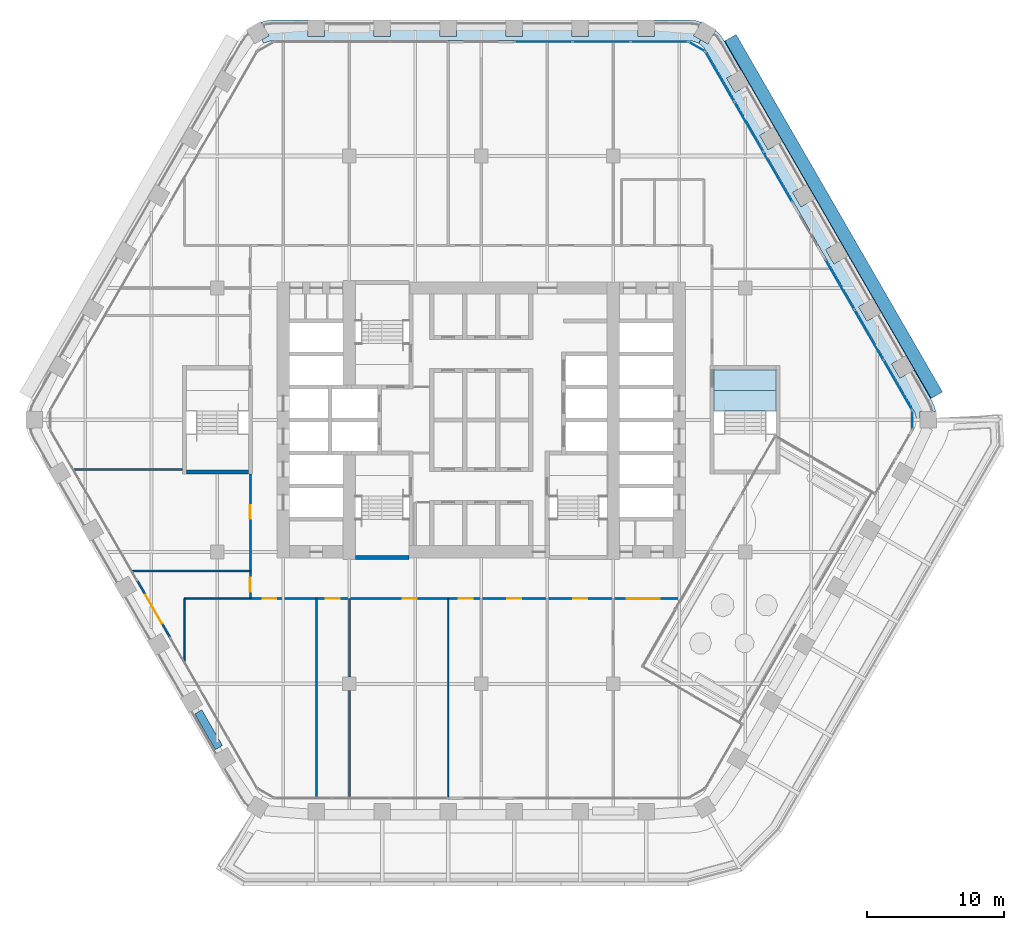
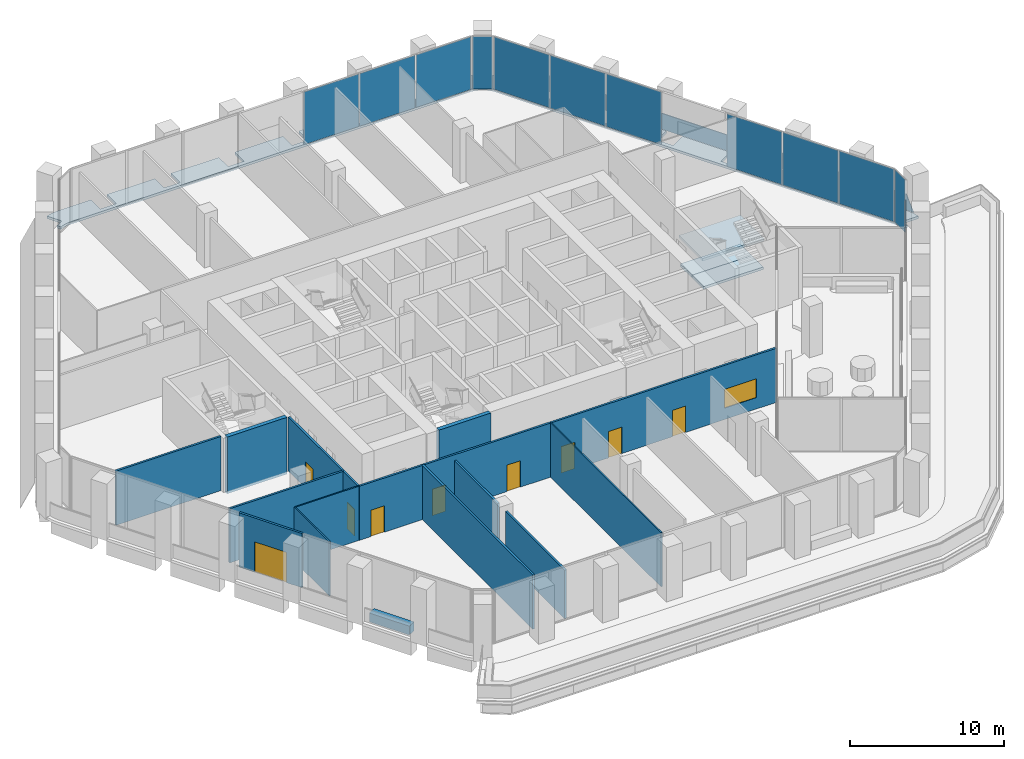
# One storey, part 13 of 25: 14 walls, 12 plates, 9 doors, 5 slabs, 1 window, 10 openings, 6 elements without a shape of their own.
"""IFC4 building model written with IfcOpenShell, lengths in metres."""

from ifc_helpers import new_model, si_unit, direction, frame, frame_2d, origin, origin_2d, place, context, subcontext, project, spatial, polyline, rectangle, outline, extrude, material, layer, layer_set, type_object, element, fill, aggregate, save


model = new_model("IFC4")

# Units and contexts
model_context = context("Model", 3, precision=1e-05, world=origin(), true_north=direction((0.0, 1.0)))
body_context = subcontext(model_context, "Body", "Model", "MODEL_VIEW")
ifc_project = project(units=[si_unit("LENGTHUNIT", "METRE"), si_unit("AREAUNIT", "SQUARE_METRE"), si_unit("VOLUMEUNIT", "CUBIC_METRE"), si_unit("PLANEANGLEUNIT", "RADIAN"), si_unit("MASSUNIT", "GRAM", prefix="KILO")], contexts=[model_context])

# Site, building, storey
site_placement = place(None, origin())
site = spatial("IfcSite", under=ifc_project, at=site_placement, CompositionType="ELEMENT")
building_placement = place(site_placement, origin())
building = spatial("IfcBuilding", under=site, at=building_placement, Name="Kolab Exchange Tower", CompositionType="ELEMENT")
storey_placement = place(building_placement, frame((0.0, 0.0, 91.39990234375)))
storey = spatial("IfcBuildingStorey", under=building, at=storey_placement, Name="L17", CompositionType="ELEMENT", Elevation=91.39990234375)

# Slabs
ifc_material_1 = material(Name="Concrete C35/45", Category="concrete")
ifc_layer_1 = layer(ifc_material_1, 0.199951171875)
ifc_layer_set_1 = layer_set([ifc_layer_1], Name="Concrete C35/45")
slab_type_1 = type_object("IfcSlabType", Name="FLOOR SLAB 200", PredefinedType="FLOOR", material=ifc_layer_set_1)
slab_1_placement = place(storey_placement, frame((0.0, 0.0, -0.199951171875)))
element("IfcSlab", 1, at=slab_1_placement, inside=storey, type_object=slab_type_1, Name="slab/L17/floor/13", PredefinedType="FLOOR", context=body_context, shape_type="SweptSolid", body=[
    extrude(outline(polyline([(21.449951171875, 3.64990234375), (16.949951171875, 3.64990234375), (16.949951171875, 2.14990234375), (21.449951171875, 2.14990234375), (21.449951171875, 3.64990234375)])), origin(), (0.0, 0.0, 1.0), 0.199951171875),
])
ifc_layer_2 = layer(ifc_material_1, 0.199951171875)
ifc_layer_set_2 = layer_set([ifc_layer_2], Name="Concrete C35/45")
slab_type_2 = type_object("IfcSlabType", Name="LOGGIA SLAB 200", PredefinedType="FLOOR", material=ifc_layer_set_2)
slab_2_placement = place(storey_placement, frame((0.0, 0.0, -0.199951171875)))
element("IfcSlab", 2, at=slab_2_placement, inside=storey, type_object=slab_type_2, Name="slab/L17/loggia/0-0", PredefinedType="FLOOR", context=body_context, shape_type="SweptSolid", body=[
    extrude(outline(polyline([(15.5810546875, 27.508056640625), (15.81787109375, 27.3974609375), (15.968017578125, 27.6572265625), (15.4482421875, 27.957275390625), (16.014892578125, 28.938720703125), (15.5888671875, 29.052978515625), (15.06787109375, 29.098388671875), (12.60009765625, 29.098388671875), (12.60009765625, 27.8984375), (11.39990234375, 27.8984375), (11.39990234375, 29.098388671875), (7.800048828125, 29.098388671875), (7.800048828125, 27.8984375), (6.60009765625, 27.8984375), (6.60009765625, 29.098388671875), (3.0, 29.098388671875), (3.0, 27.8984375), (1.800048828125, 27.8984375), (1.800048828125, 29.098388671875), (-1.800048828125, 29.098388671875), (-1.800048828125, 27.8984375), (-3.0, 27.8984375), (-3.0, 29.098388671875), (-6.60009765625, 29.098388671875), (-6.60009765625, 27.8984375), (-7.800048828125, 27.8984375), (-7.800048828125, 29.098388671875), (-11.39990234375, 29.098388671875), (-11.39990234375, 27.8984375), (-12.60009765625, 27.8984375), (-12.60009765625, 29.098388671875), (-15.06787109375, 29.098388671875), (-15.5888671875, 29.052978515625), (-16.014892578125, 28.938720703125), (-15.4482421875, 27.957275390625), (-15.968017578125, 27.6572265625), (-15.81787109375, 27.3974609375), (-15.5810546875, 27.508056640625), (-15.328369140625, 27.57568359375), (-15.06787109375, 27.598388671875), (15.06787109375, 27.598388671875), (15.328369140625, 27.57568359375), (15.5810546875, 27.508056640625)])), origin(), (0.0, 0.0, 1.0), 0.199951171875),
])
slab_3_placement = place(storey_placement, frame((0.0, 0.0, -0.199951171875)))
element("IfcSlab", 3, at=slab_3_placement, inside=storey, type_object=slab_type_2, Name="slab/L17/loggia/1-0", PredefinedType="FLOOR", context=body_context, shape_type="SweptSolid", body=[
    extrude(outline(polyline([(31.613037109375, 0.260498046875), (31.62939453125, 0.07568359375), (31.935791015625, 0.091064453125), (31.935791015625, 0.60009765625), (33.069091796875, 0.60009765625), (32.955078125, 1.026123046875), (32.73388671875, 1.5), (31.5, 3.63720703125), (30.460693359375, 3.037353515625), (29.86083984375, 4.076416015625), (30.89990234375, 4.676513671875), (29.10009765625, 7.794189453125), (28.060791015625, 7.1943359375), (27.460693359375, 8.2333984375), (28.5, 8.83349609375), (26.699951171875, 11.951171875), (25.660888671875, 11.35107421875), (25.060791015625, 12.390380859375), (26.10009765625, 12.990478515625), (24.300048828125, 16.108154296875), (23.2607421875, 15.508056640625), (22.660888671875, 16.54736328125), (23.699951171875, 17.147216796875), (21.89990234375, 20.264892578125), (20.86083984375, 19.6650390625), (20.2607421875, 20.704345703125), (21.300048828125, 21.30419921875), (19.5, 24.421875), (18.460693359375, 23.822021484375), (17.86083984375, 24.861083984375), (18.89990234375, 25.461181640625), (17.666015625, 27.598388671875), (17.365966796875, 28.02685546875), (17.05419921875, 28.338623046875), (16.487548828125, 27.357177734375), (15.968017578125, 27.6572265625), (15.81787109375, 27.3974609375), (16.0322265625, 27.24755859375), (16.217041015625, 27.062744140625), (16.366943359375, 26.848388671875), (31.434814453125, 0.75), (31.54541015625, 0.512939453125), (31.613037109375, 0.260498046875)])), origin(), (0.0, 0.0, 1.0), 0.199951171875),
])

# Plate
ifc_material_2 = material(Name="Laminated glass, clear", Category="glass")
ifc_layer_3 = layer(ifc_material_2, 0.0400390625)
ifc_layer_set_3 = layer_set([ifc_layer_3], Name="Laminated glass, clear")
plate_type_1 = type_object("IfcPlateType", Name="OUTER SKIN LAMINATED GLASS SHEET 40", PredefinedType="SHEET", material=ifc_layer_set_3)
plate_1_placement = place(storey_placement, frame((18.540283203125, 28.04541015625, -0.73291015625), z_axis=(0.78488749746, 0.453155039209, 0.422613448403), x_axis=(0.499999167166, -0.866025884618, 2.126414e-06)))
element("IfcPlate", 4, at=plate_1_placement, inside=storey, type_object=plate_type_1, Name="Outer skin", PredefinedType="SHEET", context=body_context, shape_type="SweptSolid", body=[
    extrude(outline(polyline([(0.0, 0.0), (30.035931798469555, 0.0), (30.035821559359643, -2.2341565300489714), (-2.087711834573829e-05, -2.2342974723957343), (0.0, 0.0)])), origin(), (0.0, 0.0, -1.0), 0.0400390625),
])

# Stair, slabs
ifc_material_3 = material(Name="Concrete C50/60", Category="concrete")
stair_type = type_object("IfcStairType", Name="STAIR ST4 RISER 160.7", PredefinedType="DOUBLE_RETURN_STAIR", material=ifc_material_3)
stair_placement = place(storey_placement, origin())
stair = element("IfcStair", 5, at=stair_placement, inside=storey, type_object=stair_type, Name="Stair 4", PredefinedType="DOUBLE_RETURN_STAIR")
ifc_layer_4 = layer(ifc_material_3, 0.199951171875)
ifc_layer_set_4 = layer_set([ifc_layer_4], Name="Concrete C50/60")
slab_type_3 = type_object("IfcSlabType", Name="STAIR LANDING 200", PredefinedType="LANDING", material=ifc_layer_set_4)
slab_4_placement = place(storey_placement, frame((0.0, 0.0, -0.199951171875)))
slab_4 = element("IfcSlab", 6, at=slab_4_placement, type_object=slab_type_3, Name="ST4 landing 1", PredefinedType="LANDING", context=body_context, shape_type="SweptSolid", body=[
    extrude(outline(polyline([(16.949951171875, 0.64990234375), (21.449951171875, 0.64990234375), (21.449951171875, 2.14990234375), (16.949951171875, 2.14990234375), (16.949951171875, 0.64990234375)])), origin(), (0.0, 0.0, 1.0), 0.199951171875),
])
slab_5_placement = place(storey_placement, frame((0.0, 0.0, 2.050048828125)))
slab_5 = element("IfcSlab", 7, at=slab_5_placement, type_object=slab_type_3, Name="ST4 landing 3", PredefinedType="LANDING", context=body_context, shape_type="SweptSolid", body=[
    extrude(outline(polyline([(16.889892578125, 0.64990234375), (21.510009765625, 0.64990234375), (21.510009765625, 3.7099609375), (16.889892578125, 3.7099609375), (16.889892578125, 0.64990234375)])), origin(), (0.0, 0.0, 1.0), 0.199951171875),
])
aggregate(stair, [slab_4, slab_5])

# Curtain wall, plates
ifc_material_4 = material(Name="Aluminium EN AW-6063 T6", Category="aluminium")
curtain_wall_type = type_object("IfcCurtainWallType", Name="UNITISED LOWER MID ZONE CURTAIN WALL", PredefinedType="NOTDEFINED", material=ifc_material_4)
curtain_wall_1_placement = place(storey_placement, origin())
curtain_wall_1 = element("IfcCurtainWall", 8, at=curtain_wall_1_placement, inside=storey, type_object=curtain_wall_type, Name="cw/L17/F1-2", PredefinedType="NOTDEFINED")
ifc_material_5 = material(Name="Clear insulated glazing unit", Category="glass")
ifc_layer_5 = layer(ifc_material_5, 0.02587890625)
ifc_layer_set_5 = layer_set([ifc_layer_5], Name="Clear insulated glazing unit")
plate_type_2 = type_object("IfcPlateType", Name="UNITISED LOWER MID ZONE GLASS PANEL 26", PredefinedType="CURTAIN_PANEL", material=ifc_layer_set_5)
plate_2_placement = place(storey_placement, frame((4.5263671875, 27.5185546875, 0.06005859375), z_axis=(0.0, 0.0, 1.0), x_axis=(1.0, 0.0, 0.0)))
plate_2 = element("IfcPlate", 9, at=plate_2_placement, type_object=plate_type_2, Name="CW2 panel 1.1", PredefinedType="CURTAIN_PANEL", context=body_context, shape_type="SweptSolid", body=[
    extrude(rectangle(XDim=4.132568359375, YDim=0.02587890625, at=origin_2d()), origin(), (0.0, 0.0, 1.0), 4.179931640625),
])
plate_3_placement = place(storey_placement, frame((8.73388671875, 27.5185546875, 0.06005859375), z_axis=(0.0, 0.0, 1.0), x_axis=(1.0, 0.0, 0.0)))
plate_3 = element("IfcPlate", 10, at=plate_3_placement, type_object=plate_type_2, Name="CW2 panel 2.1", PredefinedType="CURTAIN_PANEL", context=body_context, shape_type="SweptSolid", body=[
    extrude(rectangle(XDim=4.16259765625, YDim=0.02587890625, at=origin_2d()), origin(), (0.0, 0.0, 1.0), 4.179931640625),
])
plate_4_placement = place(storey_placement, frame((12.941650390625, 27.5185546875, 0.06005859375), z_axis=(0.0, 0.0, 1.0), x_axis=(1.0, 0.0, 0.0)))
plate_4 = element("IfcPlate", 11, at=plate_4_placement, type_object=plate_type_2, Name="CW2 panel 3.1", PredefinedType="CURTAIN_PANEL", context=body_context, shape_type="SweptSolid", body=[
    extrude(rectangle(XDim=4.132568359375, YDim=0.02587890625, at=origin_2d()), origin(), (0.0, 0.0, 1.0), 4.179931640625),
])
aggregate(curtain_wall_1, [plate_2, plate_3, plate_4])

curtain_wall_2_placement = place(storey_placement, origin())
curtain_wall_2 = element("IfcCurtainWall", 12, at=curtain_wall_2_placement, inside=storey, type_object=curtain_wall_type, Name="cw/L17/F2-1", PredefinedType="NOTDEFINED")
plate_5_placement = place(storey_placement, frame((17.36083984375, 24.967041015625, 0.06005859375), z_axis=(0.0, 0.0, 1.0), x_axis=(0.500000017564, -0.866025393644, 0.0)))
plate_5 = element("IfcPlate", 13, at=plate_5_placement, type_object=plate_type_2, Name="CW2 panel 1.1", PredefinedType="CURTAIN_PANEL", context=body_context, shape_type="SweptSolid", body=[
    extrude(rectangle(XDim=4.132568359375, YDim=0.02587890625, at=origin_2d()), origin(), (0.0, 0.0, 1.0), 4.179931640625),
])
plate_6_placement = place(storey_placement, frame((19.464599609375, 21.322998046875, 0.06005859375), z_axis=(0.0, 0.0, 1.0), x_axis=(0.500000017564, -0.866025393644, 0.0)))
plate_6 = element("IfcPlate", 14, at=plate_6_placement, type_object=plate_type_2, Name="CW2 panel 2.1", PredefinedType="CURTAIN_PANEL", context=body_context, shape_type="SweptSolid", body=[
    extrude(rectangle(XDim=4.16259765625, YDim=0.02587890625, at=origin_2d()), origin(), (0.0, 0.0, 1.0), 4.179931640625),
])
plate_7_placement = place(storey_placement, frame((21.568603515625, 17.67919921875, 0.06005859375), z_axis=(0.0, 0.0, 1.0), x_axis=(0.500000017564, -0.866025393644, 0.0)))
plate_7 = element("IfcPlate", 15, at=plate_7_placement, type_object=plate_type_2, Name="CW2 panel 3.1", PredefinedType="CURTAIN_PANEL", context=body_context, shape_type="SweptSolid", body=[
    extrude(rectangle(XDim=4.132568359375, YDim=0.02587890625, at=origin_2d()), origin(), (0.0, 0.0, 1.0), 4.179931640625),
])
aggregate(curtain_wall_2, [plate_5, plate_6, plate_7])

curtain_wall_3_placement = place(storey_placement, origin())
curtain_wall_3 = element("IfcCurtainWall", 16, at=curtain_wall_3_placement, inside=storey, type_object=curtain_wall_type, Name="cw/L17/F2-2", PredefinedType="NOTDEFINED")
plate_8_placement = place(storey_placement, frame((26.0947265625, 9.83935546875, 0.06005859375), z_axis=(0.0, 0.0, 1.0), x_axis=(0.499999958358, -0.866025427826, 0.0)))
plate_8 = element("IfcPlate", 17, at=plate_8_placement, type_object=plate_type_2, Name="CW2 panel 1.1", PredefinedType="CURTAIN_PANEL", context=body_context, shape_type="SweptSolid", body=[
    extrude(rectangle(XDim=4.132568359375, YDim=0.02587890625, at=origin_2d()), origin(), (0.0, 0.0, 1.0), 4.179931640625),
])
plate_9_placement = place(storey_placement, frame((28.19873046875, 6.1953125, 0.06005859375), z_axis=(0.0, 0.0, 1.0), x_axis=(0.499999958358, -0.866025427826, 0.0)))
plate_9 = element("IfcPlate", 18, at=plate_9_placement, type_object=plate_type_2, Name="CW2 panel 2.1", PredefinedType="CURTAIN_PANEL", context=body_context, shape_type="SweptSolid", body=[
    extrude(rectangle(XDim=4.16259765625, YDim=0.02587890625, at=origin_2d()), origin(), (0.0, 0.0, 1.0), 4.179931640625),
])
plate_10_placement = place(storey_placement, frame((30.302490234375, 2.551513671875, 0.06005859375), z_axis=(0.0, 0.0, 1.0), x_axis=(0.499999958358, -0.866025427826, 0.0)))
plate_10 = element("IfcPlate", 19, at=plate_10_placement, type_object=plate_type_2, Name="CW2 panel 3.1", PredefinedType="CURTAIN_PANEL", context=body_context, shape_type="SweptSolid", body=[
    extrude(rectangle(XDim=4.132568359375, YDim=0.02587890625, at=origin_2d()), origin(), (0.0, 0.0, 1.0), 4.179931640625),
])
aggregate(curtain_wall_3, [plate_8, plate_9, plate_10])

# Curtain wall, plate
curtain_wall_4_placement = place(storey_placement, origin())
curtain_wall_4 = element("IfcCurtainWall", 20, at=curtain_wall_4_placement, inside=storey, type_object=curtain_wall_type, Name="cw/L17/F1F2-corner", PredefinedType="NOTDEFINED")
plate_11_placement = place(storey_placement, frame((15.682861328125, 27.16357421875, 0.06005859375), z_axis=(0.0, 0.0, 1.0), x_axis=(0.866025390869, -0.50000002237, 0.0)))
plate_11 = element("IfcPlate", 21, at=plate_11_placement, type_object=plate_type_2, Name="CW2 panel 1.1", PredefinedType="CURTAIN_PANEL", context=body_context, shape_type="SweptSolid", body=[
    extrude(rectangle(XDim=1.300048828125, YDim=0.02587890625, at=origin_2d()), origin(), (0.0, 0.0, 1.0), 4.179931640625),
])
aggregate(curtain_wall_4, [plate_11])

curtain_wall_5_placement = place(storey_placement, origin())
curtain_wall_5 = element("IfcCurtainWall", 22, at=curtain_wall_5_placement, inside=storey, type_object=curtain_wall_type, Name="cw/L17/F2F3-corner", PredefinedType="NOTDEFINED")
plate_12_placement = place(storey_placement, frame((31.36572265625, 0.0, 0.06005859375), z_axis=(0.0, 0.0, 1.0), x_axis=(0.0, -1.0, 0.0)))
plate_12 = element("IfcPlate", 23, at=plate_12_placement, type_object=plate_type_2, Name="CW2 panel 1.1", PredefinedType="CURTAIN_PANEL", context=body_context, shape_type="SweptSolid", body=[
    extrude(rectangle(XDim=1.300048828125, YDim=0.02587890625, at=origin_2d()), origin(), (0.0, 0.0, 1.0), 4.179931640625),
])
aggregate(curtain_wall_5, [plate_12])

# Wall, opening, door
ifc_layer_6 = layer(ifc_material_4, 0.159912109375)
ifc_layer_set_6 = layer_set([ifc_layer_6], Name="Aluminium EN AW-6063 T6")
wall_type_1 = type_object("IfcWallType", Name="DOOR SURROUND WALL 160 ALUMINIUM FRAMED", PredefinedType="PARTITIONING", material=ifc_layer_set_6)
wall_1_placement = place(storey_placement, frame((-22.646728515625, -15.811767578125, 0.0), z_axis=(0.0, 0.0, 1.0), x_axis=(-0.499978080042, 0.866038058908, 0.0)))
wall_1 = element("IfcWall", 24, at=wall_1_placement, inside=storey, type_object=wall_type_1, Name="Door surround wall", PredefinedType="PARTITIONING", context=body_context, shape_type="SweptSolid", body=[
    extrude(rectangle(XDim=4.739990234375, YDim=0.159912109375, at=frame_2d((2.3701171875, 0.0))), origin(), (0.0, 0.0, 1.0), 4.300048828125),
])
opening_1_placement = place(wall_1_placement, frame((1.169921875, 0.0, 0.0)))
opening_1 = element("IfcOpeningElement", 25, at=opening_1_placement, cuts=wall_1, Name="Opening GD1-038", PredefinedType="OPENING", context=body_context, shape_type="SweptSolid", body=[
    extrude(rectangle(XDim=2.39990234375, YDim=2.39990234375, at=frame_2d((1.199951171875, 1.199951171875))), frame((0.0, 0.08984375, 0.0), z_axis=(0.0, -1.0, 0.0), x_axis=(1.0, 0.0, 0.0)), (0.0, 0.0, 1.0), 0.179931640625),
])
door_type_1 = type_object("IfcDoorType", Name="LOGGIA SLIDING GLASS DOOR 2400 X 2400", OperationType="DOUBLE_DOOR_SINGLE_SWING", PredefinedType="DOOR", material=ifc_material_4)
door_1_placement = place(opening_1_placement, origin())
door_1 = element("IfcDoor", 26, at=door_1_placement, inside=storey, type_object=door_type_1, Name="Loggia door", OperationType="DOUBLE_DOOR_SLIDING", OverallHeight=2.39990234375, OverallWidth=2.39990234375, PredefinedType="DOOR", context=body_context, shape_type="SweptSolid", body=[
    extrude(rectangle(XDim=2.39990234375, YDim=2.39990234375, at=frame_2d((1.199951171875, 1.199951171875))), frame((0.0, 0.02490234375, 0.0), z_axis=(0.0, -1.0, 0.0), x_axis=(1.0, 0.0, 0.0)), (0.0, 0.0, 1.0), 0.050048828125),
])
fill(opening_1, door_1)

# Walls
ifc_material_6 = material(Name="Gypsum board", Category="gypsum")
ifc_layer_7 = layer(ifc_material_6, 0.10009765625)
ifc_layer_set_7 = layer_set([ifc_layer_7], Name="Gypsum board")
wall_type_2 = type_object("IfcWallType", Name="PARTITION 100", PredefinedType="PARTITIONING", material=ifc_layer_set_7)
wall_2_placement = place(storey_placement, frame((-2.39990234375, -27.4384765625, 0.0), z_axis=(0.0, 0.0, 1.0), x_axis=(0.0, 1.0, 0.0)))
element("IfcWall", 27, at=wall_2_placement, inside=storey, type_object=wall_type_2, Name="Partition 016", PredefinedType="PARTITIONING", context=body_context, shape_type="SweptSolid", body=[
    extrude(rectangle(XDim=14.4384765625, YDim=0.10009765625, at=frame_2d((7.21923828125, 0.0))), origin(), (0.0, 0.0, 1.0), 4.300048828125),
])
wall_3_placement = place(storey_placement, frame((-21.60009765625, -17.544677734375, 0.0), z_axis=(0.0, 0.0, 1.0), x_axis=(0.0, 1.0, 0.0)))
element("IfcWall", 28, at=wall_3_placement, inside=storey, type_object=wall_type_2, Name="Partition 029", PredefinedType="PARTITIONING", context=body_context, shape_type="SweptSolid", body=[
    extrude(rectangle(XDim=4.544677734375, YDim=0.10009765625, at=frame_2d((2.2724609375, 0.0))), origin(), (0.0, 0.0, 1.0), 4.300048828125),
])
wall_4_placement = place(storey_placement, frame((-21.60009765625, -13.0, 0.0), z_axis=(0.0, 0.0, 1.0), x_axis=(1.0, 0.0, 0.0)))
element("IfcWall", 29, at=wall_4_placement, inside=storey, type_object=wall_type_2, Name="Partition 031", PredefinedType="PARTITIONING", context=body_context, shape_type="SweptSolid", body=[
    extrude(rectangle(XDim=4.800048828125, YDim=0.10009765625, at=frame_2d((2.39990234375, 0.0))), origin(), (0.0, 0.0, 1.0), 4.300048828125),
])
ifc_layer_8 = layer(ifc_material_6, 0.14990234375)
ifc_layer_set_8 = layer_set([ifc_layer_8], Name="Gypsum board")
wall_type_3 = type_object("IfcWallType", Name="PARTITION 150 FIRE-RATED", PredefinedType="PARTITIONING", material=ifc_layer_set_8)
wall_5_placement = place(storey_placement, frame((-9.60009765625, -27.428466796875, 0.0), z_axis=(0.0, 0.0, 1.0), x_axis=(0.0, 1.0, 0.0)))
element("IfcWall", 30, at=wall_5_placement, inside=storey, type_object=wall_type_3, Name="Partition 019", PredefinedType="PARTITIONING", context=body_context, shape_type="SweptSolid", body=[
    extrude(rectangle(XDim=7.728515625, YDim=0.14990234375, at=frame_2d((3.8642578125, 0.0))), origin(), (0.0, 0.0, 1.0), 3.843017578125),
])
wall_6_placement = place(storey_placement, frame((-9.60009765625, -18.699951171875, 0.0), z_axis=(0.0, 0.0, 1.0), x_axis=(0.0, 1.0, 0.0)))
element("IfcWall", 31, at=wall_6_placement, inside=storey, type_object=wall_type_3, Name="Partition 020", PredefinedType="PARTITIONING", context=body_context, shape_type="SweptSolid", body=[
    extrude(rectangle(XDim=5.699951171875, YDim=0.14990234375, at=frame_2d((2.85009765625, 0.0))), origin(), (0.0, 0.0, 1.0), 3.843017578125),
])
wall_7_placement = place(storey_placement, frame((-12.0, -27.428466796875, 0.0), z_axis=(0.0, 0.0, 1.0), x_axis=(0.0, 1.0, 0.0)))
element("IfcWall", 32, at=wall_7_placement, inside=storey, type_object=wall_type_3, Name="Partition 024", PredefinedType="PARTITIONING", context=body_context, shape_type="SweptSolid", body=[
    extrude(rectangle(XDim=14.428466796875, YDim=0.14990234375, at=frame_2d((7.21435546875, 0.0))), origin(), (0.0, 0.0, 1.0), 4.300048828125),
])

# Wall, openings, doors
wall_8_placement = place(storey_placement, frame((-16.800048828125, -13.0, 0.0), z_axis=(0.0, 0.0, 1.0), x_axis=(0.0, 1.0, 0.0)))
wall_8 = element("IfcWall", 33, at=wall_8_placement, inside=storey, type_object=wall_type_3, Name="Partition 027", PredefinedType="PARTITIONING", context=body_context, shape_type="SweptSolid", body=[
    extrude(rectangle(XDim=9.050048828125, YDim=0.14990234375, at=frame_2d((4.52490234375, 0.0))), origin(), (0.0, 0.0, 1.0), 4.300048828125),
])
opening_2_placement = place(wall_8_placement, frame((0.514892578125, 0.0, 0.0)))
opening_2 = element("IfcOpeningElement", 34, at=opening_2_placement, cuts=wall_8, Name="Opening D1-252", PredefinedType="OPENING", context=body_context, shape_type="SweptSolid", body=[
    extrude(rectangle(XDim=1.0, YDim=2.10009765625, at=frame_2d((0.5, 1.050048828125))), frame((0.0, 0.0849609375, 0.0), z_axis=(0.0, -1.0, 0.0), x_axis=(1.0, 0.0, 0.0)), (0.0, 0.0, 1.0), 0.169921875),
])
opening_3_placement = place(wall_8_placement, frame((5.800048828125, 0.0, 0.0)))
opening_3 = element("IfcOpeningElement", 35, at=opening_3_placement, cuts=wall_8, Name="Opening D1-217", PredefinedType="OPENING", context=body_context, shape_type="SweptSolid", body=[
    extrude(rectangle(XDim=1.0, YDim=2.10009765625, at=frame_2d((0.5, 1.050048828125))), frame((0.0, 0.0849609375, 0.0), z_axis=(0.0, -1.0, 0.0), x_axis=(1.0, 0.0, 0.0)), (0.0, 0.0, 1.0), 0.169921875),
])
ifc_material_7 = material(Name="Steel S235", Category="steel")
door_type_2 = type_object("IfcDoorType", Name="FLUSH DOOR 1000 FD60", OperationType="SINGLE_SWING_LEFT", PredefinedType="DOOR", material=ifc_material_7)
door_2_placement = place(opening_2_placement, origin())
door_2 = element("IfcDoor", 36, at=door_2_placement, inside=storey, type_object=door_type_2, Name="Door L17-063", OperationType="SINGLE_SWING_RIGHT", OverallHeight=2.10009765625, OverallWidth=1.0, PredefinedType="DOOR", context=body_context, shape_type="SweptSolid", body=[
    extrude(rectangle(XDim=1.0, YDim=2.10009765625, at=frame_2d((0.5, 1.050048828125))), frame((0.0, 0.02490234375, 0.0), z_axis=(0.0, -1.0, 0.0), x_axis=(1.0, 0.0, 0.0)), (0.0, 0.0, 1.0), 0.050048828125),
])
fill(opening_2, door_2)
door_3_placement = place(opening_3_placement, origin())
door_3 = element("IfcDoor", 37, at=door_3_placement, inside=storey, type_object=door_type_2, Name="Door L17-064", OperationType="SINGLE_SWING_RIGHT", OverallHeight=2.10009765625, OverallWidth=1.0, PredefinedType="DOOR", context=body_context, shape_type="SweptSolid", body=[
    extrude(rectangle(XDim=1.0, YDim=2.10009765625, at=frame_2d((0.5, 1.050048828125))), frame((0.0, 0.02490234375, 0.0), z_axis=(0.0, -1.0, 0.0), x_axis=(1.0, 0.0, 0.0)), (0.0, 0.0, 1.0), 0.050048828125),
])
fill(opening_3, door_3)

# Wall, openings, doors, window
wall_9_placement = place(storey_placement, frame((-16.800048828125, -13.0, 0.0), z_axis=(0.0, 0.0, 1.0), x_axis=(1.0, 0.0, 0.0)))
wall_9 = element("IfcWall", 38, at=wall_9_placement, inside=storey, type_object=wall_type_3, Name="Partition 032", PredefinedType="PARTITIONING", context=body_context, shape_type="SweptSolid", body=[
    extrude(rectangle(XDim=31.324462890625, YDim=0.14990234375, at=frame_2d((15.662109375, 0.0))), origin(), (0.0, 0.0, 1.0), 4.300048828125),
])
opening_4_placement = place(wall_9_placement, frame((0.885009765625, 0.0, 0.0)))
opening_4 = element("IfcOpeningElement", 39, at=opening_4_placement, cuts=wall_9, Name="Opening D1-244", PredefinedType="OPENING", context=body_context, shape_type="SweptSolid", body=[
    extrude(rectangle(XDim=1.0, YDim=2.10009765625, at=frame_2d((0.5, 1.050048828125))), frame((0.0, 0.0849609375, 0.0), z_axis=(0.0, -1.0, 0.0), x_axis=(1.0, 0.0, 0.0)), (0.0, 0.0, 1.0), 0.169921875),
])
opening_5_placement = place(wall_9_placement, frame((5.5, 0.0, 0.0)))
opening_5 = element("IfcOpeningElement", 40, at=opening_5_placement, cuts=wall_9, Name="Opening D1-245", PredefinedType="OPENING", context=body_context, shape_type="SweptSolid", body=[
    extrude(rectangle(XDim=1.0, YDim=2.10009765625, at=frame_2d((0.5, 1.050048828125))), frame((0.0, 0.0849609375, 0.0), z_axis=(0.0, -1.0, 0.0), x_axis=(1.0, 0.0, 0.0)), (0.0, 0.0, 1.0), 0.169921875),
])
opening_6_placement = place(wall_9_placement, frame((11.094970703125, 0.0, 0.0)))
opening_6 = element("IfcOpeningElement", 41, at=opening_6_placement, cuts=wall_9, Name="Opening D1-246", PredefinedType="OPENING", context=body_context, shape_type="SweptSolid", body=[
    extrude(rectangle(XDim=1.0, YDim=2.10009765625, at=frame_2d((0.5, 1.050048828125))), frame((0.0, 0.0849609375, 0.0), z_axis=(0.0, -1.0, 0.0), x_axis=(1.0, 0.0, 0.0)), (0.0, 0.0, 1.0), 0.169921875),
])
opening_7_placement = place(wall_9_placement, frame((15.175048828125, 0.0, 0.0)))
opening_7 = element("IfcOpeningElement", 42, at=opening_7_placement, cuts=wall_9, Name="Opening D1-247", PredefinedType="OPENING", context=body_context, shape_type="SweptSolid", body=[
    extrude(rectangle(XDim=1.0, YDim=2.10009765625, at=frame_2d((0.5, 1.050048828125))), frame((0.0, 0.0849609375, 0.0), z_axis=(0.0, -1.0, 0.0), x_axis=(1.0, 0.0, 0.0)), (0.0, 0.0, 1.0), 0.169921875),
])
opening_8_placement = place(wall_9_placement, frame((18.699951171875, 0.0, 0.0)))
opening_8 = element("IfcOpeningElement", 43, at=opening_8_placement, cuts=wall_9, Name="Opening D1-248", PredefinedType="OPENING", context=body_context, shape_type="SweptSolid", body=[
    extrude(rectangle(XDim=1.0, YDim=2.10009765625, at=frame_2d((0.5, 1.050048828125))), frame((0.0, 0.0849609375, 0.0), z_axis=(0.0, -1.0, 0.0), x_axis=(1.0, 0.0, 0.0)), (0.0, 0.0, 1.0), 0.169921875),
])
opening_9_placement = place(wall_9_placement, frame((23.5, 0.0, 0.0)))
opening_9 = element("IfcOpeningElement", 44, at=opening_9_placement, cuts=wall_9, Name="Opening D1-249", PredefinedType="OPENING", context=body_context, shape_type="SweptSolid", body=[
    extrude(rectangle(XDim=1.0, YDim=2.10009765625, at=frame_2d((0.5, 1.050048828125))), frame((0.0, 0.0849609375, 0.0), z_axis=(0.0, -1.0, 0.0), x_axis=(1.0, 0.0, 0.0)), (0.0, 0.0, 1.0), 0.169921875),
])
opening_10_placement = place(wall_9_placement, frame((27.39990234375, 0.0, 0.89990234375)))
opening_10 = element("IfcOpeningElement", 45, at=opening_10_placement, cuts=wall_9, Name="Opening W2-004", PredefinedType="OPENING", context=body_context, shape_type="SweptSolid", body=[
    extrude(rectangle(XDim=2.39990234375, YDim=1.5, at=frame_2d((1.199951171875, 0.75))), frame((0.0, 0.0849609375, 0.0), z_axis=(0.0, -1.0, 0.0), x_axis=(1.0, 0.0, 0.0)), (0.0, 0.0, 1.0), 0.169921875),
])
door_4_placement = place(opening_4_placement, frame((1.0, 0.0, 0.0), z_axis=(0.0, 0.0, 1.0), x_axis=(-1.0, 0.0, 0.0)))
door_4 = element("IfcDoor", 46, at=door_4_placement, inside=storey, type_object=door_type_2, Name="Door L17-055", OperationType="SINGLE_SWING_RIGHT", OverallHeight=2.10009765625, OverallWidth=1.0, PredefinedType="DOOR", context=body_context, shape_type="SweptSolid", body=[
    extrude(rectangle(XDim=1.0, YDim=2.10009765625, at=frame_2d((0.5, 1.050048828125))), frame((0.0, 0.02490234375, 0.0), z_axis=(0.0, -1.0, 0.0), x_axis=(1.0, 0.0, 0.0)), (0.0, 0.0, 1.0), 0.050048828125),
])
fill(opening_4, door_4)
door_5_placement = place(opening_5_placement, frame((1.0, 0.0, 0.0), z_axis=(0.0, 0.0, 1.0), x_axis=(-1.0, 0.0, 0.0)))
door_5 = element("IfcDoor", 47, at=door_5_placement, inside=storey, type_object=door_type_2, Name="Door L17-056", OperationType="SINGLE_SWING_LEFT", OverallHeight=2.10009765625, OverallWidth=1.0, PredefinedType="DOOR", context=body_context, shape_type="SweptSolid", body=[
    extrude(rectangle(XDim=1.0, YDim=2.10009765625, at=frame_2d((0.5, 1.050048828125))), frame((0.0, 0.02490234375, 0.0), z_axis=(0.0, -1.0, 0.0), x_axis=(1.0, 0.0, 0.0)), (0.0, 0.0, 1.0), 0.050048828125),
])
fill(opening_5, door_5)
door_6_placement = place(opening_6_placement, frame((1.0, 0.0, 0.0), z_axis=(0.0, 0.0, 1.0), x_axis=(-1.0, 0.0, 0.0)))
door_6 = element("IfcDoor", 48, at=door_6_placement, inside=storey, type_object=door_type_2, Name="Door L17-057", OperationType="SINGLE_SWING_RIGHT", OverallHeight=2.10009765625, OverallWidth=1.0, PredefinedType="DOOR", context=body_context, shape_type="SweptSolid", body=[
    extrude(rectangle(XDim=1.0, YDim=2.10009765625, at=frame_2d((0.5, 1.050048828125))), frame((0.0, 0.02490234375, 0.0), z_axis=(0.0, -1.0, 0.0), x_axis=(1.0, 0.0, 0.0)), (0.0, 0.0, 1.0), 0.050048828125),
])
fill(opening_6, door_6)
door_7_placement = place(opening_7_placement, frame((1.0, 0.0, 0.0), z_axis=(0.0, 0.0, 1.0), x_axis=(-1.0, 0.0, 0.0)))
door_7 = element("IfcDoor", 49, at=door_7_placement, inside=storey, type_object=door_type_2, Name="Door L17-058", OperationType="SINGLE_SWING_RIGHT", OverallHeight=2.10009765625, OverallWidth=1.0, PredefinedType="DOOR", context=body_context, shape_type="SweptSolid", body=[
    extrude(rectangle(XDim=1.0, YDim=2.10009765625, at=frame_2d((0.5, 1.050048828125))), frame((0.0, 0.02490234375, 0.0), z_axis=(0.0, -1.0, 0.0), x_axis=(1.0, 0.0, 0.0)), (0.0, 0.0, 1.0), 0.050048828125),
])
fill(opening_7, door_7)
door_8_placement = place(opening_8_placement, frame((1.0, 0.0, 0.0), z_axis=(0.0, 0.0, 1.0), x_axis=(-1.0, 0.0, 0.0)))
door_8 = element("IfcDoor", 50, at=door_8_placement, inside=storey, type_object=door_type_2, Name="Door L17-059", OperationType="SINGLE_SWING_LEFT", OverallHeight=2.10009765625, OverallWidth=1.0, PredefinedType="DOOR", context=body_context, shape_type="SweptSolid", body=[
    extrude(rectangle(XDim=1.0, YDim=2.10009765625, at=frame_2d((0.5, 1.050048828125))), frame((0.0, 0.02490234375, 0.0), z_axis=(0.0, -1.0, 0.0), x_axis=(1.0, 0.0, 0.0)), (0.0, 0.0, 1.0), 0.050048828125),
])
fill(opening_8, door_8)
door_9_placement = place(opening_9_placement, frame((1.0, 0.0, 0.0), z_axis=(0.0, 0.0, 1.0), x_axis=(-1.0, 0.0, 0.0)))
door_9 = element("IfcDoor", 51, at=door_9_placement, inside=storey, type_object=door_type_2, Name="Door L17-060", OperationType="SINGLE_SWING_LEFT", OverallHeight=2.10009765625, OverallWidth=1.0, PredefinedType="DOOR", context=body_context, shape_type="SweptSolid", body=[
    extrude(rectangle(XDim=1.0, YDim=2.10009765625, at=frame_2d((0.5, 1.050048828125))), frame((0.0, 0.02490234375, 0.0), z_axis=(0.0, -1.0, 0.0), x_axis=(1.0, 0.0, 0.0)), (0.0, 0.0, 1.0), 0.050048828125),
])
fill(opening_9, door_9)
ifc_material_8 = material(Name="Fire-rated glazing", Category="glass")
window_type = type_object("IfcWindowType", Name="VIEWING WINDOW 2400 X 1500 EI 60", PartitioningType="SINGLE_PANEL", PredefinedType="WINDOW", material=ifc_material_8)
window_placement = place(opening_10_placement, origin())
window = element("IfcWindow", 52, at=window_placement, inside=storey, type_object=window_type, Name="Viewing window L17-1", OverallHeight=1.5, OverallWidth=2.39990234375, PartitioningType="SINGLE_PANEL", PredefinedType="WINDOW", context=body_context, shape_type="SweptSolid", body=[
    extrude(rectangle(XDim=2.39990234375, YDim=1.5, at=frame_2d((1.199951171875, 0.75))), frame((0.0, 0.030029296875, 0.0), z_axis=(0.0, -1.0, 0.0), x_axis=(1.0, 0.0, 0.0)), (0.0, 0.0, 1.0), 0.06005859375),
])
fill(opening_10, window)

# Walls
wall_10_placement = place(storey_placement, frame((-25.37841796875, -11.0, 0.0), z_axis=(0.0, 0.0, 1.0), x_axis=(1.0, 0.0, 0.0)))
element("IfcWall", 53, at=wall_10_placement, inside=storey, type_object=wall_type_3, Name="Partition 033", PredefinedType="PARTITIONING", context=body_context, shape_type="SweptSolid", body=[
    extrude(rectangle(XDim=8.578369140625, YDim=0.14990234375, at=frame_2d((4.2890625, 0.0))), origin(), (0.0, 0.0, 1.0), 4.300048828125),
])
wall_11_placement = place(storey_placement, frame((-29.65087890625, -3.60009765625, 0.0), z_axis=(0.0, 0.0, 1.0), x_axis=(1.0, 0.0, 0.0)))
element("IfcWall", 54, at=wall_11_placement, inside=storey, type_object=wall_type_3, Name="Partition 035", PredefinedType="PARTITIONING", context=body_context, shape_type="SweptSolid", body=[
    extrude(rectangle(XDim=7.90087890625, YDim=0.14990234375, at=frame_2d((3.950439453125, 0.0))), origin(), (0.0, 0.0, 1.0), 4.300048828125),
])
ifc_material_9 = material(Name="Granite facing", Category="masonry")
ifc_layer_9 = layer(ifc_material_9, 0.0400390625)
ifc_material_10 = material(Name="Concrete C40/50 precast", Category="concrete")
ifc_layer_10 = layer(ifc_material_10, 0.56005859375)
ifc_layer_set_9 = layer_set([ifc_layer_9, ifc_layer_10], Name="Concrete C40/50 precast")
wall_type_4 = type_object("IfcWallType", Name="PLANTER BOX 600 X 700 SOIL DEPTH 550", PredefinedType="USERDEFINED", material=ifc_layer_set_9)
wall_12_placement = place(storey_placement, frame((-19.087158203125, -23.837158203125, 0.0), z_axis=(0.0, 0.0, 1.0), x_axis=(-0.499990139034, 0.866031096941, 0.0)))
element("IfcWall", 55, at=wall_12_placement, inside=storey, type_object=wall_type_4, Name="Planter", ObjectType="PLANTER", PredefinedType="USERDEFINED", context=body_context, shape_type="SweptSolid", body=[
    extrude(rectangle(XDim=3.0, YDim=0.60009765625, at=frame_2d((1.5, 0.0))), origin(), (0.0, 0.0, 1.0), 0.7001953125),
])
ifc_layer_11 = layer(ifc_material_3, 0.300048828125)
ifc_layer_set_10 = layer_set([ifc_layer_11], Name="Concrete C50/60")
wall_type_5 = type_object("IfcWallType", Name="STAIR ENCLOSURE WALL 300 C50/60", PredefinedType="STANDARD", material=ifc_layer_set_10)
wall_13_placement = place(storey_placement, frame((-9.14990234375, -10.0, -0.199951171875), z_axis=(0.0, 0.0, 1.0), x_axis=(1.0, 0.0, 0.0)))
element("IfcWall", 56, at=wall_13_placement, inside=storey, type_object=wall_type_5, Name="wall/L17/core/000", PredefinedType="STANDARD", context=body_context, shape_type="SweptSolid", body=[
    extrude(rectangle(XDim=3.89990234375, YDim=0.300048828125, at=frame_2d((1.949951171875, 0.0))), origin(), (0.0, 0.0, 1.0), 4.5),
])
wall_14_placement = place(storey_placement, frame((-21.449951171875, -3.800048828125, -0.199951171875), z_axis=(0.0, 0.0, 1.0), x_axis=(1.0, 0.0, 0.0)))
element("IfcWall", 57, at=wall_14_placement, inside=storey, type_object=wall_type_5, Name="wall/L17/core/012", PredefinedType="STANDARD", context=body_context, shape_type="SweptSolid", body=[
    extrude(rectangle(XDim=4.5, YDim=0.300048828125, at=frame_2d((2.25, 0.0))), origin(), (0.0, 0.0, 1.0), 4.5),
])

save(model, "model.ifc")
